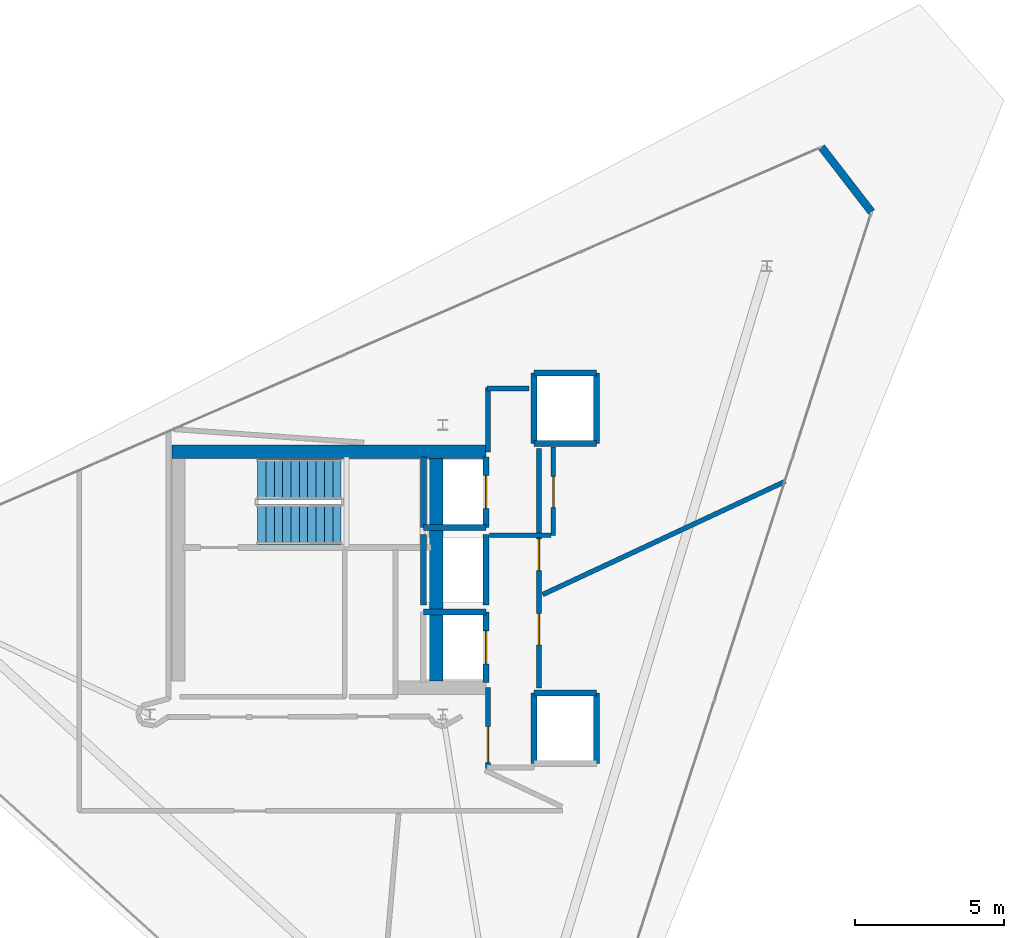
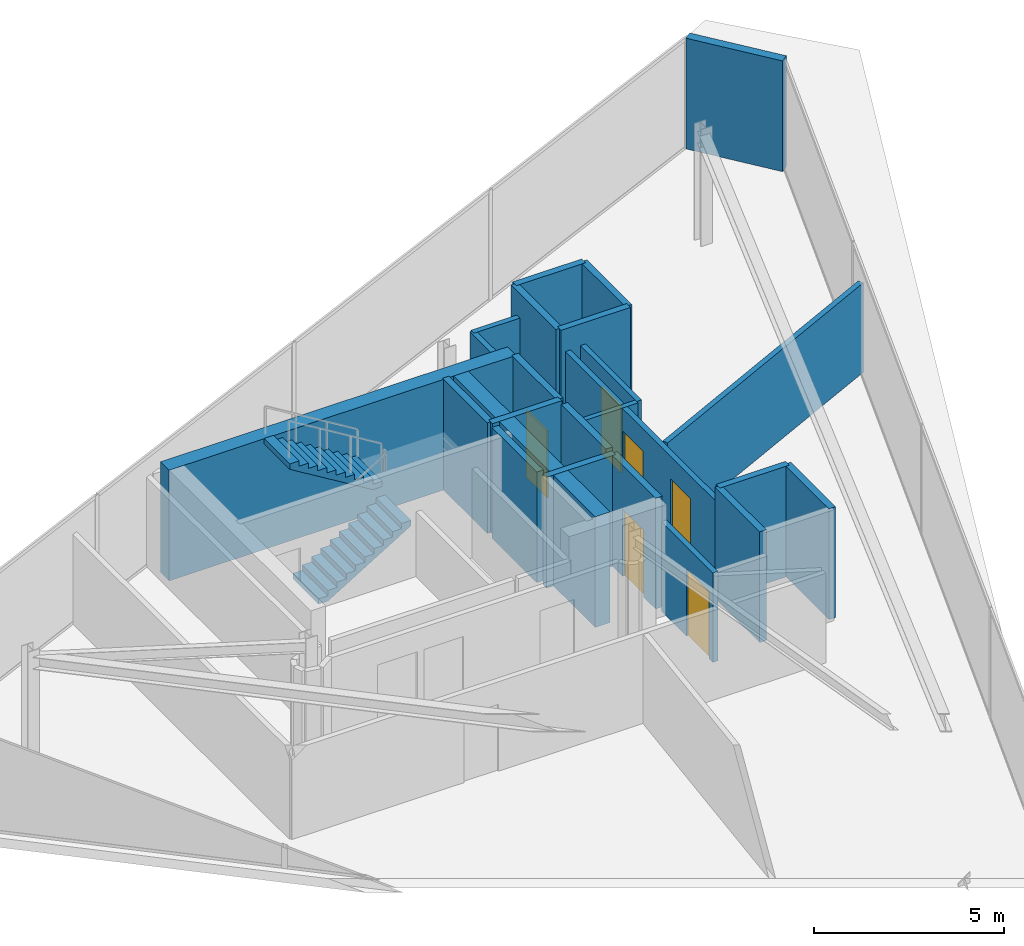
# One storey, part 13 of 14: 24 walls, 6 doors, 2 stair flights, 6 openings, 1 element without a shape of its own.
"""IFC4 building model written with IfcOpenShell, lengths in metres."""

from ifc_helpers import new_model, si_unit, direction, frame, frame_2d, origin, place, context, subcontext, project, spatial, polyline, rectangle, outline, extrude, material, layer, layer_set, type_object, element, fill, aggregate, save


model = new_model("IFC4")

# Units and contexts
model_context = context("Model", 3, precision=1e-05, world=origin(), true_north=direction((0.0, 1.0)))
body_context = subcontext(model_context, "Body", "Model", "MODEL_VIEW")
ifc_project = project(units=[si_unit("LENGTHUNIT", "METRE"), si_unit("AREAUNIT", "SQUARE_METRE"), si_unit("VOLUMEUNIT", "CUBIC_METRE"), si_unit("PLANEANGLEUNIT", "RADIAN"), si_unit("MASSUNIT", "GRAM", prefix="KILO")], contexts=[model_context])

# Site, building, storey
site_placement = place(None, origin())
site = spatial("IfcSite", under=ifc_project, at=site_placement, CompositionType="ELEMENT")
building_placement = place(site_placement, origin())
building = spatial("IfcBuilding", under=site, at=building_placement, Name="Qianvela Tower", CompositionType="ELEMENT")
storey_placement = place(building_placement, frame((0.0, 0.0, 356.300048828125)))
storey = spatial("IfcBuildingStorey", under=building, at=storey_placement, Name="L92", CompositionType="ELEMENT", Elevation=356.300048828125)

# Walls
ifc_material_1 = material(Name="Terracotta Cladding on Concrete C40", Category="masonry")
ifc_layer_1 = layer(ifc_material_1, 0.260009765625)
ifc_layer_set_1 = layer_set([ifc_layer_1], Name="Terracotta Cladding on Concrete C40")
wall_type_1 = type_object("IfcWallType", Name="TERRACOTTA-WALL-260", PredefinedType="SOLIDWALL", material=ifc_layer_set_1)
wall_1_placement = place(storey_placement, frame((52.752685546875, 40.67236328125, 0.0), z_axis=(0.0, 0.0, 1.0), x_axis=(-0.610961212473, 0.791660531322, 0.0)))
element("IfcWall", 1, at=wall_1_placement, inside=storey, type_object=wall_type_1, Name="L92 Crown Terracotta Cladding Wall 1", PredefinedType="SOLIDWALL", context=body_context, shape_type="SweptSolid", body=[
    extrude(rectangle(XDim=2.744140625, YDim=0.260009765625, at=frame_2d((1.3720703125, 0.0))), origin(), (0.0, 0.0, 1.0), 3.550048828125),
])
ifc_material_2 = material(Name="Concrete C50", Category="concrete")
ifc_layer_2 = layer(ifc_material_2, 0.449951171875)
ifc_layer_set_2 = layer_set([ifc_layer_2], Name="Concrete C50")
wall_type_2 = type_object("IfcWallType", Name="WT-CORE-450", PredefinedType="SHEAR", material=ifc_layer_set_2)
wall_2_placement = place(storey_placement, frame((29.330078125, 32.64501953125, 0.0), z_axis=(0.0, 0.0, 1.0), x_axis=(1.0, 0.0, 0.0)))
element("IfcWall", 2, at=wall_2_placement, inside=storey, type_object=wall_type_2, Name="L92 North Core Shear Wall", PredefinedType="SHEAR", context=body_context, shape_type="SweptSolid", body=[
    extrude(rectangle(XDim=10.52001953125, YDim=0.449951171875, at=frame_2d((5.260009765625, 0.0))), origin(), (0.0, 0.0, 1.0), 3.550048828125),
])
wall_3_placement = place(storey_placement, frame((38.179931640625, 24.97998046875, 0.0), z_axis=(0.0, 0.0, 1.0), x_axis=(0.0, 1.0, 0.0)))
element("IfcWall", 3, at=wall_3_placement, inside=storey, type_object=wall_type_2, Name="L92 East Spine Core Shear Wall", PredefinedType="SHEAR", context=body_context, shape_type="SweptSolid", body=[
    extrude(rectangle(XDim=7.43994140625, YDim=0.449951171875, at=frame_2d((3.719970703125, 0.0))), origin(), (0.0, 0.0, 1.0), 3.550048828125),
])

# Wall, opening, door
ifc_material_3 = material(Name="Fire-Rated Acoustic Gypsum Board")
ifc_layer_3 = layer(ifc_material_3, 0.14990234375)
ifc_layer_set_3 = layer_set([ifc_layer_3], Name="Fire-Rated Acoustic Gypsum Board")
wall_type_3 = type_object("IfcWallType", Name="WT-CORR-150", PredefinedType="PARTITIONING", material=ifc_layer_set_3)
wall_4_placement = place(storey_placement, frame((42.10009765625, 29.85009765625, 0.0), z_axis=(0.0, 0.0, 1.0), x_axis=(0.0, 1.0, 0.0)))
wall_4 = element("IfcWall", 4, at=wall_4_placement, inside=storey, type_object=wall_type_3, Name="L92 Crown Mechanical Plant Partition 1", PredefinedType="PARTITIONING", context=body_context, shape_type="SweptSolid", body=[
    extrude(rectangle(XDim=2.949951171875, YDim=0.14990234375, at=frame_2d((1.47509765625, 0.0))), origin(), (0.0, 0.0, 1.0), 2.869873046875),
])
opening_1_placement = place(wall_4_placement, frame((0.925048828125, 0.0, 0.0)))
opening_1 = element("IfcOpeningElement", 5, at=opening_1_placement, cuts=wall_4, Name="Opening D-PL1", PredefinedType="OPENING", context=body_context, shape_type="SweptSolid", body=[
    extrude(rectangle(XDim=1.050048828125, YDim=2.14990234375, at=frame_2d((0.52490234375, 1.074951171875))), frame((0.0, 0.0849609375, 0.0), z_axis=(0.0, -1.0, 0.0), x_axis=(1.0, 0.0, 0.0)), (0.0, 0.0, 1.0), 0.169921875),
])
ifc_material_4 = material(Name="Insulated Steel Fire Door Q355B", Category="steel")
door_type_1 = type_object("IfcDoorType", Name="DT-PLANT-FD90", OperationType="NOTDEFINED", PredefinedType="DOOR", material=ifc_material_4)
door_1_placement = place(opening_1_placement, origin())
door_1 = element("IfcDoor", 6, at=door_1_placement, inside=storey, type_object=door_type_1, Name="L92 Crown Mechanical Plant Room Door", OperationType="SINGLE_SWING_LEFT", OverallHeight=2.14990234375, OverallWidth=1.050048828125, PredefinedType="DOOR", context=body_context, shape_type="SweptSolid", body=[
    extrude(rectangle(XDim=1.050048828125, YDim=2.14990234375, at=frame_2d((0.52490234375, 1.074951171875))), frame((0.0, 0.02490234375, 0.0), z_axis=(0.0, -1.0, 0.0), x_axis=(1.0, 0.0, 0.0)), (0.0, 0.0, 1.0), 0.050048828125),
])
fill(opening_1, door_1)

# Wall
wall_5_placement = place(storey_placement, frame((39.9599609375, 29.85009765625, 0.0), z_axis=(0.0, 0.0, 1.0), x_axis=(1.0, 0.0, 0.0)))
element("IfcWall", 7, at=wall_5_placement, inside=storey, type_object=wall_type_3, Name="L92 Crown Mechanical Plant Partition 2", PredefinedType="PARTITIONING", context=body_context, shape_type="SweptSolid", body=[
    extrude(rectangle(XDim=2.06005859375, YDim=0.14990234375, at=frame_2d((1.030029296875, 0.0))), origin(), (0.0, 0.0, 1.0), 2.869873046875),
])

# Wall, openings, doors
ifc_material_5 = material(Name="Fire-Rated Gypsum and Concrete Block", Category="concrete")
ifc_layer_4 = layer(ifc_material_5, 0.159912109375)
ifc_layer_set_4 = layer_set([ifc_layer_4], Name="Fire-Rated Gypsum and Concrete Block")
wall_type_4 = type_object("IfcWallType", Name="WT-CORR-160", PredefinedType="PARTITIONING", material=ifc_layer_set_4)
wall_6_placement = place(storey_placement, frame((41.618896484375, 32.760009765625, 0.0), z_axis=(0.0, 0.0, 1.0), x_axis=(0.0, -1.0, 0.0)))
wall_6 = element("IfcWall", 8, at=wall_6_placement, inside=storey, type_object=wall_type_4, Name="L92 Partition 5", PredefinedType="PARTITIONING", context=body_context, shape_type="SweptSolid", body=[
    extrude(rectangle(XDim=8.02001953125, YDim=0.159912109375, at=frame_2d((4.010009765625, 0.0))), origin(), (0.0, 0.0, 1.0), 2.869873046875),
])
opening_2_placement = place(wall_6_placement, frame((5.529541015625, 0.0, 0.0)))
opening_2 = element("IfcOpeningElement", 9, at=opening_2_placement, cuts=wall_6, Name="Opening D-PL1", PredefinedType="OPENING", context=body_context, shape_type="SweptSolid", body=[
    extrude(rectangle(XDim=1.050048828125, YDim=2.14990234375, at=frame_2d((0.52490234375, 1.074951171875))), frame((0.0, 0.08984375, 0.0), z_axis=(0.0, -1.0, 0.0), x_axis=(1.0, 0.0, 0.0)), (0.0, 0.0, 1.0), 0.179931640625),
])
opening_3_placement = place(wall_6_placement, frame((3.040771484375, 0.0, 0.0)))
opening_3 = element("IfcOpeningElement", 10, at=opening_3_placement, cuts=wall_6, Name="Opening D-PL1", PredefinedType="OPENING", context=body_context, shape_type="SweptSolid", body=[
    extrude(rectangle(XDim=1.050048828125, YDim=2.14990234375, at=frame_2d((0.52490234375, 1.074951171875))), frame((0.0, 0.08984375, 0.0), z_axis=(0.0, -1.0, 0.0), x_axis=(1.0, 0.0, 0.0)), (0.0, 0.0, 1.0), 0.179931640625),
])
door_2_placement = place(opening_2_placement, origin())
door_2 = element("IfcDoor", 11, at=door_2_placement, inside=storey, type_object=door_type_1, Name="L92 Door L92 Crown BMS Plant Room to L92 Lift Lobby", OperationType="SINGLE_SWING_LEFT", OverallHeight=2.14990234375, OverallWidth=1.050048828125, PredefinedType="DOOR", context=body_context, shape_type="SweptSolid", body=[
    extrude(rectangle(XDim=1.050048828125, YDim=2.14990234375, at=frame_2d((0.52490234375, 1.074951171875))), frame((0.0, 0.02490234375, 0.0), z_axis=(0.0, -1.0, 0.0), x_axis=(1.0, 0.0, 0.0)), (0.0, 0.0, 1.0), 0.050048828125),
])
fill(opening_2, door_2)
door_3_placement = place(opening_3_placement, origin())
door_3 = element("IfcDoor", 12, at=door_3_placement, inside=storey, type_object=door_type_1, Name="L92 Door L92 Elevator Machine Room to L92 Lift Lobby", OperationType="SINGLE_SWING_RIGHT", OverallHeight=2.14990234375, OverallWidth=1.050048828125, PredefinedType="DOOR", context=body_context, shape_type="SweptSolid", body=[
    extrude(rectangle(XDim=1.050048828125, YDim=2.14990234375, at=frame_2d((0.52490234375, 1.074951171875))), frame((0.0, 0.02490234375, 0.0), z_axis=(0.0, -1.0, 0.0), x_axis=(1.0, 0.0, 0.0)), (0.0, 0.0, 1.0), 0.050048828125),
])
fill(opening_3, door_3)

# Wall, opening, door
wall_7_placement = place(storey_placement, frame((39.910888671875, 22.050048828125, 0.0), z_axis=(0.0, 0.0, 1.0), x_axis=(0.0, 1.0, 0.0)))
wall_7 = element("IfcWall", 13, at=wall_7_placement, inside=storey, type_object=wall_type_4, Name="L92 Partition 8", PredefinedType="PARTITIONING", context=body_context, shape_type="SweptSolid", body=[
    extrude(rectangle(XDim=2.7099609375, YDim=0.159912109375, at=frame_2d((1.35498046875, 0.0))), origin(), (0.0, 0.0, 1.0), 2.869873046875),
])
opening_4_placement = place(wall_7_placement, frame((0.195068359375, 0.0, 0.0)))
opening_4 = element("IfcOpeningElement", 14, at=opening_4_placement, cuts=wall_7, Name="Opening D-LB1", PredefinedType="OPENING", context=body_context, shape_type="SweptSolid", body=[
    extrude(rectangle(XDim=1.199951171875, YDim=2.14990234375, at=frame_2d((0.60009765625, 1.074951171875))), frame((0.0, 0.08984375, 0.0), z_axis=(0.0, -1.0, 0.0), x_axis=(1.0, 0.0, 0.0)), (0.0, 0.0, 1.0), 0.179931640625),
])
ifc_material_6 = material(Name="Glazed Fire-Rated Steel Frame", Category="steel")
door_type_2 = type_object("IfcDoorType", Name="DT-LOBBY-FD90", OperationType="NOTDEFINED", PredefinedType="DOOR", material=ifc_material_6)
door_4_placement = place(opening_4_placement, origin())
door_4 = element("IfcDoor", 15, at=door_4_placement, inside=storey, type_object=door_type_2, Name="L92 Door L92 Lift Lobby to L92 Crown Maintenance Corridor", OperationType="SINGLE_SWING_LEFT", OverallHeight=2.14990234375, OverallWidth=1.199951171875, PredefinedType="DOOR", context=body_context, shape_type="SweptSolid", body=[
    extrude(rectangle(XDim=1.199951171875, YDim=2.14990234375, at=frame_2d((0.60009765625, 1.074951171875))), frame((0.0, 0.02490234375, 0.0), z_axis=(0.0, -1.0, 0.0), x_axis=(1.0, 0.0, 0.0)), (0.0, 0.0, 1.0), 0.050048828125),
])
fill(opening_4, door_4)

# Walls
wall_8_placement = place(storey_placement, frame((39.910888671875, 32.639892578125, 0.0), z_axis=(0.0, 0.0, 1.0), x_axis=(0.0, 1.0, 0.0)))
element("IfcWall", 16, at=wall_8_placement, inside=storey, type_object=wall_type_4, Name="L92 Partition 10", PredefinedType="PARTITIONING", context=body_context, shape_type="SweptSolid", body=[
    extrude(rectangle(XDim=2.16015625, YDim=0.159912109375, at=frame_2d((1.080078125, 0.0))), origin(), (0.0, 0.0, 1.0), 2.869873046875),
])
wall_9_placement = place(storey_placement, frame((39.8798828125, 34.76904296875, 0.0), z_axis=(0.0, 0.0, 1.0), x_axis=(1.0, 0.0, 0.0)))
element("IfcWall", 17, at=wall_9_placement, inside=storey, type_object=wall_type_4, Name="L92 Partition 11", PredefinedType="PARTITIONING", context=body_context, shape_type="SweptSolid", body=[
    extrude(rectangle(XDim=1.400146484375, YDim=0.159912109375, at=frame_2d((0.7001953125, 0.0))), origin(), (0.0, 0.0, 1.0), 2.869873046875),
])
wall_10_placement = place(storey_placement, frame((41.7431640625, 27.8671875, 0.0), z_axis=(0.0, 0.0, 1.0), x_axis=(0.906309072271, 0.422615505535, 0.0)))
element("IfcWall", 18, at=wall_10_placement, inside=storey, type_object=wall_type_4, Name="L92 Partition 46", PredefinedType="PARTITIONING", context=body_context, shape_type="SweptSolid", body=[
    extrude(rectangle(XDim=8.961669921875, YDim=0.159912109375, at=frame_2d((4.48095703125, 0.0))), origin(), (0.0, 0.0, 1.0), 2.869873046875),
])

# Wall, opening, door
ifc_material_7 = material(Name="Concrete C50", Category="concrete")
ifc_layer_5 = layer(ifc_material_7, 0.199951171875)
ifc_layer_set_5 = layer_set([ifc_layer_5], Name="Concrete C50")
wall_type_5 = type_object("IfcWallType", Name="WT-SHAFT-200", PredefinedType="SOLIDWALL", material=ifc_layer_set_5)
wall_11_placement = place(storey_placement, frame((39.85009765625, 30.1201171875, 0.0), z_axis=(0.0, 0.0, 1.0), x_axis=(0.0, 1.0, 0.0)))
wall_11 = element("IfcWall", 19, at=wall_11_placement, inside=storey, type_object=wall_type_5, Name="L92 Lift FL-1 E Shaft Wall", PredefinedType="SOLIDWALL", context=body_context, shape_type="SweptSolid", body=[
    extrude(rectangle(XDim=2.35986328125, YDim=0.199951171875, at=frame_2d((1.179931640625, 0.0))), origin(), (0.0, 0.0, 1.0), 3.550048828125),
])
opening_5_placement = place(wall_11_placement, frame((0.6298828125, 0.0, 0.0)))
opening_5 = element("IfcOpeningElement", 20, at=opening_5_placement, cuts=wall_11, Name="Opening LD-01", PredefinedType="OPENING", context=body_context, shape_type="SweptSolid", body=[
    extrude(rectangle(XDim=1.10009765625, YDim=2.14990234375, at=frame_2d((0.550048828125, 1.074951171875))), frame((0.0, 0.10986328125, 0.0), z_axis=(0.0, -1.0, 0.0), x_axis=(1.0, 0.0, 0.0)), (0.0, 0.0, 1.0), 0.219970703125),
])
ifc_material_8 = material(Name="Brushed Stainless Steel Lift Landing Door", Category="steel")
door_type_3 = type_object("IfcDoorType", Name="DT-LIFT-SLIDE-1100", OperationType="SLIDING_TO_LEFT", PredefinedType="DOOR", material=ifc_material_8)
door_5_placement = place(opening_5_placement, origin())
door_5 = element("IfcDoor", 21, at=door_5_placement, inside=storey, type_object=door_type_3, Name="L92 Lift FL-1 Sliding Landing Door", OperationType="SLIDING_TO_LEFT", OverallHeight=2.14990234375, OverallWidth=1.10009765625, PredefinedType="DOOR", context=body_context, shape_type="SweptSolid", body=[
    extrude(rectangle(XDim=1.10009765625, YDim=2.14990234375, at=frame_2d((0.550048828125, 1.074951171875))), frame((0.0, 0.02490234375, 0.0), z_axis=(0.0, -1.0, 0.0), x_axis=(1.0, 0.0, 0.0)), (0.0, 0.0, 1.0), 0.050048828125),
])
fill(opening_5, door_5)

# Walls
wall_12_placement = place(storey_placement, frame((37.75, 30.1201171875, 0.0), z_axis=(0.0, 0.0, 1.0), x_axis=(0.0, 1.0, 0.0)))
element("IfcWall", 22, at=wall_12_placement, inside=storey, type_object=wall_type_5, Name="L92 Lift FL-1 W Shaft Wall", PredefinedType="SOLIDWALL", context=body_context, shape_type="SweptSolid", body=[
    extrude(rectangle(XDim=2.35986328125, YDim=0.199951171875, at=frame_2d((1.179931640625, 0.0))), origin(), (0.0, 0.0, 1.0), 3.550048828125),
])
wall_13_placement = place(storey_placement, frame((37.75, 30.1201171875, 0.0), z_axis=(0.0, 0.0, 1.0), x_axis=(1.0, 0.0, 0.0)))
element("IfcWall", 23, at=wall_13_placement, inside=storey, type_object=wall_type_5, Name="L92 Lift FL-1 S Shaft Wall", PredefinedType="SOLIDWALL", context=body_context, shape_type="SweptSolid", body=[
    extrude(rectangle(XDim=2.10009765625, YDim=0.199951171875, at=frame_2d((1.050048828125, 0.0))), origin(), (0.0, 0.0, 1.0), 3.550048828125),
])

# Wall, opening, door
wall_14_placement = place(storey_placement, frame((39.85009765625, 24.919921875, 0.0), z_axis=(0.0, 0.0, 1.0), x_axis=(0.0, 1.0, 0.0)))
wall_14 = element("IfcWall", 24, at=wall_14_placement, inside=storey, type_object=wall_type_5, Name="L92 Lift FL-2 E Shaft Wall", PredefinedType="SOLIDWALL", context=body_context, shape_type="SweptSolid", body=[
    extrude(rectangle(XDim=2.360107421875, YDim=0.199951171875, at=frame_2d((1.18017578125, 0.0))), origin(), (0.0, 0.0, 1.0), 3.550048828125),
])
opening_6_placement = place(wall_14_placement, frame((0.6298828125, 0.0, 0.0)))
opening_6 = element("IfcOpeningElement", 25, at=opening_6_placement, cuts=wall_14, Name="Opening LD-01", PredefinedType="OPENING", context=body_context, shape_type="SweptSolid", body=[
    extrude(rectangle(XDim=1.10009765625, YDim=2.14990234375, at=frame_2d((0.550048828125, 1.074951171875))), frame((0.0, 0.10986328125, 0.0), z_axis=(0.0, -1.0, 0.0), x_axis=(1.0, 0.0, 0.0)), (0.0, 0.0, 1.0), 0.219970703125),
])
door_6_placement = place(opening_6_placement, origin())
door_6 = element("IfcDoor", 26, at=door_6_placement, inside=storey, type_object=door_type_3, Name="L92 Lift FL-2 Sliding Landing Door", OperationType="SLIDING_TO_LEFT", OverallHeight=2.14990234375, OverallWidth=1.10009765625, PredefinedType="DOOR", context=body_context, shape_type="SweptSolid", body=[
    extrude(rectangle(XDim=1.10009765625, YDim=2.14990234375, at=frame_2d((0.550048828125, 1.074951171875))), frame((0.0, 0.02490234375, 0.0), z_axis=(0.0, -1.0, 0.0), x_axis=(1.0, 0.0, 0.0)), (0.0, 0.0, 1.0), 0.050048828125),
])
fill(opening_6, door_6)

# Walls
wall_15_placement = place(storey_placement, frame((37.75, 27.280029296875, 0.0), z_axis=(0.0, 0.0, 1.0), x_axis=(1.0, 0.0, 0.0)))
element("IfcWall", 27, at=wall_15_placement, inside=storey, type_object=wall_type_5, Name="L92 Lift FL-2 N Shaft Wall", PredefinedType="SOLIDWALL", context=body_context, shape_type="SweptSolid", body=[
    extrude(rectangle(XDim=2.10009765625, YDim=0.199951171875, at=frame_2d((1.050048828125, 0.0))), origin(), (0.0, 0.0, 1.0), 3.550048828125),
])
for number, where, z_axis, x_axis, name in (
    (28, (39.85009765625, 27.52001953125, 0.0), (0.0, 0.0, 1.0), (0.0, 1.0, 0.0), "L92 Lift PL-H1 E Shaft Wall"),
    (29, (37.75, 27.52001953125, 0.0), (0.0, 0.0, 1.0), (0.0, 1.0, 0.0), "L92 Lift PL-H1 W Shaft Wall"),
):
    element("IfcWall", number, at=place(storey_placement, frame(where, z_axis=z_axis, x_axis=x_axis)), inside=storey, type_object=wall_type_5, Name=name, PredefinedType="SOLIDWALL", context=body_context, shape_type="SweptSolid", body=[
        extrude(rectangle(XDim=2.35986328125, YDim=0.199951171875, at=frame_2d((1.179931640625, 0.0))), origin(), (0.0, 0.0, 1.0), 3.550048828125),
    ])
for number, where, z_axis, x_axis, name in (
    (30, (43.550048828125, 22.219970703125, 0.0), (0.0, 0.0, 1.0), (0.0, 1.0, 0.0), "L92 Lift PL-H2 E Shaft Wall"),
    (31, (41.449951171875, 22.219970703125, 0.0), (0.0, 0.0, 1.0), (0.0, 1.0, 0.0), "L92 Lift PL-H2 W Shaft Wall"),
):
    element("IfcWall", number, at=place(storey_placement, frame(where, z_axis=z_axis, x_axis=x_axis)), inside=storey, type_object=wall_type_5, Name=name, PredefinedType="SOLIDWALL", context=body_context, shape_type="SweptSolid", body=[
        extrude(rectangle(XDim=2.360107421875, YDim=0.199951171875, at=frame_2d((1.18017578125, 0.0))), origin(), (0.0, 0.0, 1.0), 3.550048828125),
    ])
wall_16_placement = place(storey_placement, frame((41.449951171875, 24.580078125, 0.0), z_axis=(0.0, 0.0, 1.0), x_axis=(1.0, 0.0, 0.0)))
element("IfcWall", 32, at=wall_16_placement, inside=storey, type_object=wall_type_5, Name="L92 Lift PL-H2 N Shaft Wall", PredefinedType="SOLIDWALL", context=body_context, shape_type="SweptSolid", body=[
    extrude(rectangle(XDim=2.10009765625, YDim=0.199951171875, at=frame_2d((1.050048828125, 0.0))), origin(), (0.0, 0.0, 1.0), 3.550048828125),
])
for number, where, z_axis, x_axis, name in (
    (33, (43.550048828125, 32.919921875, 0.0), (0.0, 0.0, 1.0), (0.0, 1.0, 0.0), "L92 Lift PL-H3 E Shaft Wall"),
    (34, (41.449951171875, 32.919921875, 0.0), (0.0, 0.0, 1.0), (0.0, 1.0, 0.0), "L92 Lift PL-H3 W Shaft Wall"),
):
    element("IfcWall", number, at=place(storey_placement, frame(where, z_axis=z_axis, x_axis=x_axis)), inside=storey, type_object=wall_type_5, Name=name, PredefinedType="SOLIDWALL", context=body_context, shape_type="SweptSolid", body=[
        extrude(rectangle(XDim=2.360107421875, YDim=0.199951171875, at=frame_2d((1.18017578125, 0.0))), origin(), (0.0, 0.0, 1.0), 3.550048828125),
    ])
for number, where, z_axis, x_axis, name in (
    (35, (41.449951171875, 35.280029296875, 0.0), (0.0, 0.0, 1.0), (1.0, 0.0, 0.0), "L92 Lift PL-H3 N Shaft Wall"),
    (36, (41.449951171875, 32.919921875, 0.0), (0.0, 0.0, 1.0), (1.0, 0.0, 0.0), "L92 Lift PL-H3 S Shaft Wall"),
):
    element("IfcWall", number, at=place(storey_placement, frame(where, z_axis=z_axis, x_axis=x_axis)), inside=storey, type_object=wall_type_5, Name=name, PredefinedType="SOLIDWALL", context=body_context, shape_type="SweptSolid", body=[
        extrude(rectangle(XDim=2.10009765625, YDim=0.199951171875, at=frame_2d((1.050048828125, 0.0))), origin(), (0.0, 0.0, 1.0), 3.550048828125),
    ])

# Stair, stair flights
ifc_material_9 = material(Name="Concrete C40", Category="concrete")
stair_type = type_object("IfcStairType", Name="ST-DOGLEG-1350-R170-N22", PredefinedType="HALF_TURN_STAIR", material=ifc_material_9)
stair_placement = place(storey_placement, origin())
stair = element("IfcStair", 37, at=stair_placement, inside=storey, type_object=stair_type, Name="L92 Smoke-Proof Core Stair ST-1", PredefinedType="HALF_TURN_STAIR")
ifc_material_10 = material(Name="Concrete C40", Category="concrete")
stair_flight_type = type_object("IfcStairFlightType", Name="STF-STRAIGHT-R170-P11", PredefinedType="STRAIGHT", material=ifc_material_10)
stair_flight_1_placement = place(storey_placement, frame((32.199951171875, 30.215087890625, 0.0), z_axis=(0.0, 0.0, 1.0), x_axis=(1.0, 0.0, 0.0)))
stair_flight_1 = element("IfcStairFlight", 38, at=stair_flight_1_placement, type_object=stair_flight_type, Name="ST-1 flight 1", NumberOfRisers=11, NumberOfTreads=10, PredefinedType="STRAIGHT", RiserHeight=0.170454545, TreadLength=0.28, context=body_context, shape_type="SweptSolid", body=[
    extrude(outline(polyline([(0.0, 0.0), (0.0, 0.17041015625), (0.280029296875, 0.17041015625), (0.280029296875, 0.3408203125), (0.56005859375, 0.3408203125), (0.56005859375, 0.511474609375), (0.840087890625, 0.511474609375), (0.840087890625, 0.681884765625), (1.1201171875, 0.681884765625), (1.1201171875, 0.852294921875), (1.39990234375, 0.852294921875), (1.39990234375, 1.022705078125), (1.679931640625, 1.022705078125), (1.679931640625, 1.193115234375), (1.9599609375, 1.193115234375), (1.9599609375, 1.363525390625), (2.239990234375, 1.363525390625), (2.239990234375, 1.5341796875), (2.52001953125, 1.5341796875), (2.52001953125, 1.70458984375), (2.800048828125, 1.70458984375), (2.800048828125, 1.875), (2.800048828125, 1.529052734375), (0.288330078125, 0.0), (0.0, 0.0)])), frame((0.0, 0.675048828125, 0.0), z_axis=(0.0, -1.0, 0.0), x_axis=(1.0, 0.0, 0.0)), (0.0, 0.0, 1.0), 1.35009765625),
])
stair_flight_2_placement = place(storey_placement, frame((35.0, 31.72509765625, 1.875), z_axis=(0.0, 0.0, 1.0), x_axis=(-1.0, 0.0, 0.0)))
stair_flight_2 = element("IfcStairFlight", 39, at=stair_flight_2_placement, type_object=stair_flight_type, Name="ST-1 flight 2", NumberOfRisers=11, NumberOfTreads=10, PredefinedType="STRAIGHT", RiserHeight=0.170454545, TreadLength=0.28, context=body_context, shape_type="SweptSolid", body=[
    extrude(outline(polyline([(0.0, 0.0), (0.0, 0.17041015625), (0.280029296875, 0.17041015625), (0.280029296875, 0.3408203125), (0.56005859375, 0.3408203125), (0.56005859375, 0.511474609375), (0.840087890625, 0.511474609375), (0.840087890625, 0.681884765625), (1.1201171875, 0.681884765625), (1.1201171875, 0.852294921875), (1.39990234375, 0.852294921875), (1.39990234375, 1.022705078125), (1.679931640625, 1.022705078125), (1.679931640625, 1.193115234375), (1.9599609375, 1.193115234375), (1.9599609375, 1.363525390625), (2.239990234375, 1.363525390625), (2.239990234375, 1.5341796875), (2.52001953125, 1.5341796875), (2.52001953125, 1.70458984375), (2.800048828125, 1.70458984375), (2.800048828125, 1.875), (2.800048828125, 1.529052734375), (0.288330078125, 0.0), (0.0, 0.0)])), frame((0.0, 0.675048828125, 0.0), z_axis=(0.0, -1.0, 0.0), x_axis=(1.0, 0.0, 0.0)), (0.0, 0.0, 1.0), 1.35009765625),
])
aggregate(stair, [stair_flight_1, stair_flight_2])

save(model, "model.ifc")
